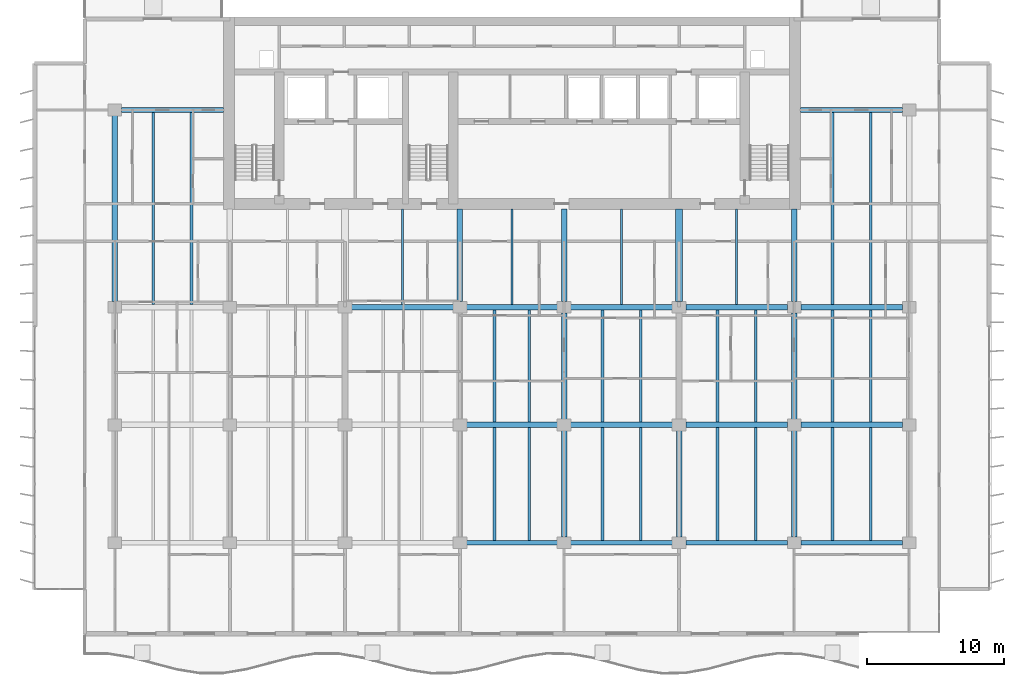
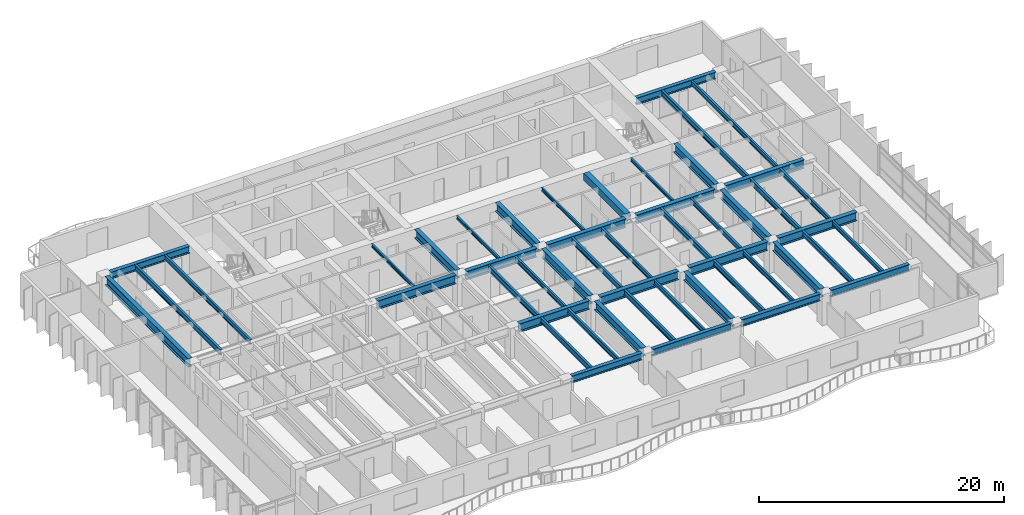
# One storey, part 3 of 16: 49 beams.
"""IFC4 building model written with IfcOpenShell, lengths in metres."""

from ifc_helpers import new_model, si_unit, direction, frame, origin, origin_2d, place, context, subcontext, project, spatial, rectangle, i_section, extrude, material, material_profile, profile_set, type_object, element, save


model = new_model("IFC4")

# Units and contexts
model_context = context("Model", 3, precision=1e-05, world=origin(), true_north=direction((0.0, 1.0)))
body_context = subcontext(model_context, "Body", "Model", "MODEL_VIEW")
ifc_project = project(units=[si_unit("LENGTHUNIT", "METRE"), si_unit("AREAUNIT", "SQUARE_METRE"), si_unit("VOLUMEUNIT", "CUBIC_METRE"), si_unit("PLANEANGLEUNIT", "RADIAN"), si_unit("MASSUNIT", "GRAM", prefix="KILO")], contexts=[model_context])

# Site, building, storey
site_placement = place(None, origin())
site = spatial("IfcSite", under=ifc_project, at=site_placement, CompositionType="ELEMENT")
building_placement = place(site_placement, origin())
building = spatial("IfcBuilding", under=site, at=building_placement, Name="Caelmar Bay Residences", CompositionType="ELEMENT")
storey_placement = place(building_placement, frame((0.0, 0.0, 145.5)))
storey = spatial("IfcBuildingStorey", under=building, at=storey_placement, Name="L40", CompositionType="ELEMENT", Elevation=145.5)

# Beams
ifc_material_1 = material(Name="Steel ASTM A992 Grade 50", Category="steel")
ifc_material_profile_1 = material_profile(ifc_material_1, i_section(OverallWidth=0.40087890625, OverallDepth=0.861083984375, WebThickness=0.019775390625, FlangeThickness=0.032470703125, FilletRadius=0.017822265625, at=origin_2d()), Name="W33X221")
ifc_profile_set_1 = profile_set([ifc_material_profile_1], Name="Steel ASTM A992 Grade 50")
beam_type_1 = type_object("IfcBeamType", Name="BM-GRD-W33X221", PredefinedType="BEAM", material=ifc_profile_set_1)
beam_1_placement = place(storey_placement, frame((35.590087890625, 20.800048828125, 2.619384765625), z_axis=(1.0, 0.0, 0.0), x_axis=(0.0, 1.0, 0.0)))
element("IfcBeam", 1, at=beam_1_placement, inside=storey, type_object=beam_type_1, Name="L40 East-West Girder Y=20.80 (35.1-42.7)", PredefinedType="BEAM", context=body_context, shape_type="SweptSolid", body=[
    extrude(i_section(OverallWidth=0.40087890625, OverallDepth=0.861083984375, WebThickness=0.019775390625, FlangeThickness=0.032470703125, FilletRadius=0.017822265625, at=origin_2d()), origin(), (0.0, 0.0, 1.0), 6.619873046875),
])
beam_2_placement = place(storey_placement, frame((43.18994140625, 20.800048828125, 2.619384765625), z_axis=(1.0, 0.0, 0.0), x_axis=(0.0, 1.0, 0.0)))
element("IfcBeam", 2, at=beam_2_placement, inside=storey, type_object=beam_type_1, Name="L40 East-West Girder Y=20.80 (42.7-51.1)", PredefinedType="BEAM", context=body_context, shape_type="SweptSolid", body=[
    extrude(i_section(OverallWidth=0.40087890625, OverallDepth=0.861083984375, WebThickness=0.019775390625, FlangeThickness=0.032470703125, FilletRadius=0.017822265625, at=origin_2d()), origin(), (0.0, 0.0, 1.0), 7.420166015625),
])
for number, where, z_axis, x_axis, name in (
    (3, (51.590087890625, 20.800048828125, 2.619384765625), (1.0, 0.0, 0.0), (0.0, 1.0, 0.0), "L40 East-West Girder Y=20.80 (51.1-59.5)"),
    (4, (59.989990234375, 20.800048828125, 2.619384765625), (1.0, 0.0, 0.0), (0.0, 1.0, 0.0), "L40 East-West Girder Y=20.80 (59.5-67.9)"),
):
    element("IfcBeam", number, at=place(storey_placement, frame(where, z_axis=z_axis, x_axis=x_axis)), inside=storey, type_object=beam_type_1, Name=name, PredefinedType="BEAM", context=body_context, shape_type="SweptSolid", body=[
        extrude(i_section(OverallWidth=0.40087890625, OverallDepth=0.861083984375, WebThickness=0.019775390625, FlangeThickness=0.032470703125, FilletRadius=0.017822265625, at=origin_2d()), origin(), (0.0, 0.0, 1.0), 7.419921875),
    ])
beam_3_placement = place(storey_placement, frame((27.18994140625, 29.39990234375, 2.619384765625), z_axis=(1.0, 0.0, 0.0), x_axis=(0.0, 1.0, 0.0)))
element("IfcBeam", 5, at=beam_3_placement, inside=storey, type_object=beam_type_1, Name="L40 East-West Girder Y=29.40 (26.7-35.1)", PredefinedType="BEAM", context=body_context, shape_type="SweptSolid", body=[
    extrude(i_section(OverallWidth=0.40087890625, OverallDepth=0.861083984375, WebThickness=0.019775390625, FlangeThickness=0.032470703125, FilletRadius=0.017822265625, at=origin_2d()), origin(), (0.0, 0.0, 1.0), 7.420166015625),
])
beam_4_placement = place(storey_placement, frame((35.590087890625, 29.39990234375, 2.619384765625), z_axis=(1.0, 0.0, 0.0), x_axis=(0.0, 1.0, 0.0)))
element("IfcBeam", 6, at=beam_4_placement, inside=storey, type_object=beam_type_1, Name="L40 East-West Girder Y=29.40 (35.1-42.7)", PredefinedType="BEAM", context=body_context, shape_type="SweptSolid", body=[
    extrude(i_section(OverallWidth=0.40087890625, OverallDepth=0.861083984375, WebThickness=0.019775390625, FlangeThickness=0.032470703125, FilletRadius=0.017822265625, at=origin_2d()), origin(), (0.0, 0.0, 1.0), 6.619873046875),
])
beam_5_placement = place(storey_placement, frame((43.18994140625, 29.39990234375, 2.619384765625), z_axis=(1.0, 0.0, 0.0), x_axis=(0.0, 1.0, 0.0)))
element("IfcBeam", 7, at=beam_5_placement, inside=storey, type_object=beam_type_1, Name="L40 East-West Girder Y=29.40 (42.7-51.1)", PredefinedType="BEAM", context=body_context, shape_type="SweptSolid", body=[
    extrude(i_section(OverallWidth=0.40087890625, OverallDepth=0.861083984375, WebThickness=0.019775390625, FlangeThickness=0.032470703125, FilletRadius=0.017822265625, at=origin_2d()), origin(), (0.0, 0.0, 1.0), 7.420166015625),
])
for number, where, z_axis, x_axis, name in (
    (8, (51.590087890625, 29.39990234375, 2.619384765625), (1.0, 0.0, 0.0), (0.0, 1.0, 0.0), "L40 East-West Girder Y=29.40 (51.1-59.5)"),
    (9, (59.989990234375, 29.39990234375, 2.619384765625), (1.0, 0.0, 0.0), (0.0, 1.0, 0.0), "L40 East-West Girder Y=29.40 (59.5-67.9)"),
):
    element("IfcBeam", number, at=place(storey_placement, frame(where, z_axis=z_axis, x_axis=x_axis)), inside=storey, type_object=beam_type_1, Name=name, PredefinedType="BEAM", context=body_context, shape_type="SweptSolid", body=[
        extrude(i_section(OverallWidth=0.40087890625, OverallDepth=0.861083984375, WebThickness=0.019775390625, FlangeThickness=0.032470703125, FilletRadius=0.017822265625, at=origin_2d()), origin(), (0.0, 0.0, 1.0), 7.419921875),
    ])
beam_6_placement = place(storey_placement, frame((9.89990234375, 29.81494140625, 2.619384765625), z_axis=(0.0, 1.0, 0.0), x_axis=(-1.0, 0.0, 0.0)))
element("IfcBeam", 10, at=beam_6_placement, inside=storey, type_object=beam_type_1, Name="L40 North-South Girder X=9.90 (29.4-43.8)", PredefinedType="BEAM", context=body_context, shape_type="SweptSolid", body=[
    extrude(i_section(OverallWidth=0.40087890625, OverallDepth=0.861083984375, WebThickness=0.019775390625, FlangeThickness=0.032470703125, FilletRadius=0.017822265625, at=origin_2d()), origin(), (0.0, 0.0, 1.0), 13.570068359375),
])
for number, where, z_axis, x_axis, name in (
    (11, (35.10009765625, 29.81494140625, 2.619384765625), (0.0, 1.0, 0.0), (-1.0, 0.0, 0.0), "L40 Core Tie Girder X=35.10"),
    (12, (42.699951171875, 29.81494140625, 2.619384765625), (0.0, 1.0, 0.0), (-1.0, 0.0, 0.0), "L40 Core Tie Girder X=42.70"),
):
    element("IfcBeam", number, at=place(storey_placement, frame(where, z_axis=z_axis, x_axis=x_axis)), inside=storey, type_object=beam_type_1, Name=name, PredefinedType="BEAM", context=body_context, shape_type="SweptSolid", body=[
        extrude(i_section(OverallWidth=0.40087890625, OverallDepth=0.861083984375, WebThickness=0.019775390625, FlangeThickness=0.032470703125, FilletRadius=0.017822265625, at=origin_2d()), origin(), (0.0, 0.0, 1.0), 6.735107421875),
    ])
for number, where, z_axis, x_axis, name in (
    (13, (42.699951171875, 12.614990234375, 2.619384765625), (0.0, 1.0, 0.0), (-1.0, 0.0, 0.0), "L40 North-South Girder X=42.70 (12.2-20.8)"),
    (14, (42.699951171875, 21.215087890625, 2.619384765625), (0.0, 1.0, 0.0), (-1.0, 0.0, 0.0), "L40 North-South Girder X=42.70 (20.8-29.4)"),
    (15, (51.10009765625, 12.614990234375, 2.619384765625), (0.0, 1.0, 0.0), (-1.0, 0.0, 0.0), "L40 North-South Girder X=51.10 (12.2-20.8)"),
):
    element("IfcBeam", number, at=place(storey_placement, frame(where, z_axis=z_axis, x_axis=x_axis)), inside=storey, type_object=beam_type_1, Name=name, PredefinedType="BEAM", context=body_context, shape_type="SweptSolid", body=[
        extrude(i_section(OverallWidth=0.40087890625, OverallDepth=0.861083984375, WebThickness=0.019775390625, FlangeThickness=0.032470703125, FilletRadius=0.017822265625, at=origin_2d()), origin(), (0.0, 0.0, 1.0), 7.77001953125),
    ])
beam_7_placement = place(storey_placement, frame((59.5, 29.81494140625, 2.619384765625), z_axis=(0.0, 1.0, 0.0), x_axis=(-1.0, 0.0, 0.0)))
element("IfcBeam", 16, at=beam_7_placement, inside=storey, type_object=beam_type_1, Name="L40 Core Tie Girder X=59.50", PredefinedType="BEAM", context=body_context, shape_type="SweptSolid", body=[
    extrude(i_section(OverallWidth=0.40087890625, OverallDepth=0.861083984375, WebThickness=0.019775390625, FlangeThickness=0.032470703125, FilletRadius=0.017822265625, at=origin_2d()), origin(), (0.0, 0.0, 1.0), 6.735107421875),
])
for number, where, z_axis, x_axis, name in (
    (17, (59.5, 12.614990234375, 2.619384765625), (0.0, 1.0, 0.0), (-1.0, 0.0, 0.0), "L40 North-South Girder X=59.50 (12.2-20.8)"),
    (18, (59.5, 21.215087890625, 2.619384765625), (0.0, 1.0, 0.0), (-1.0, 0.0, 0.0), "L40 North-South Girder X=59.50 (20.8-29.4)"),
):
    element("IfcBeam", number, at=place(storey_placement, frame(where, z_axis=z_axis, x_axis=x_axis)), inside=storey, type_object=beam_type_1, Name=name, PredefinedType="BEAM", context=body_context, shape_type="SweptSolid", body=[
        extrude(i_section(OverallWidth=0.40087890625, OverallDepth=0.861083984375, WebThickness=0.019775390625, FlangeThickness=0.032470703125, FilletRadius=0.017822265625, at=origin_2d()), origin(), (0.0, 0.0, 1.0), 7.77001953125),
    ])
ifc_material_profile_2 = material_profile(ifc_material_1, i_section(OverallWidth=0.1650390625, OverallDepth=0.31005859375, WebThickness=0.005859375, FlangeThickness=0.009765625, FilletRadius=0.007568359375, at=origin_2d()), Name="W12X26")
ifc_profile_set_2 = profile_set([ifc_material_profile_2], Name="Steel ASTM A992 Grade 50")
beam_type_2 = type_object("IfcBeamType", Name="BM-JST-W12X26", PredefinedType="JOIST", material=ifc_profile_set_2)
for number, where, z_axis, x_axis, name in (
    (19, (30.89990234375, 29.6005859375, 2.89501953125), (0.0, 1.0, 0.0), (-1.0, 0.0, 0.0), "L40 Core-Band Composite Joist 30"),
    (20, (38.89990234375, 29.6005859375, 2.89501953125), (0.0, 1.0, 0.0), (-1.0, 0.0, 0.0), "L40 Core-Band Composite Joist 31"),
    (21, (46.89990234375, 29.6005859375, 2.89501953125), (0.0, 1.0, 0.0), (-1.0, 0.0, 0.0), "L40 Core-Band Composite Joist 32"),
    (22, (55.300048828125, 29.6005859375, 2.89501953125), (0.0, 1.0, 0.0), (-1.0, 0.0, 0.0), "L40 Core-Band Composite Joist 33"),
):
    element("IfcBeam", number, at=place(storey_placement, frame(where, z_axis=z_axis, x_axis=x_axis)), inside=storey, type_object=beam_type_2, Name=name, PredefinedType="JOIST", context=body_context, shape_type="SweptSolid", body=[
        extrude(i_section(OverallWidth=0.1650390625, OverallDepth=0.31005859375, WebThickness=0.005859375, FlangeThickness=0.009765625, FilletRadius=0.007568359375, at=origin_2d()), origin(), (0.0, 0.0, 1.0), 6.949462890625),
    ])
ifc_material_profile_3 = material_profile(ifc_material_1, i_section(OverallWidth=0.19091796875, OverallDepth=0.45703125, WebThickness=0.009033203125, FlangeThickness=0.014404296875, FilletRadius=0.01025390625, at=origin_2d()), Name="W18X50")
ifc_profile_set_3 = profile_set([ifc_material_profile_3], Name="Steel ASTM A992 Grade 50")
beam_type_3 = type_object("IfcBeamType", Name="BM-JST-W18X50", PredefinedType="JOIST", material=ifc_profile_set_3)
for number, where, z_axis, x_axis, name in (
    (23, (40.166748046875, 12.3779296875, 2.821533203125), (0.0, 1.0, 0.0), (-1.0, 0.0, 0.0), "L40 Composite Floor Joist 8"),
    (24, (48.300048828125, 12.3779296875, 2.821533203125), (0.0, 1.0, 0.0), (-1.0, 0.0, 0.0), "L40 Composite Floor Joist 10"),
    (25, (56.699951171875, 12.3779296875, 2.821533203125), (0.0, 1.0, 0.0), (-1.0, 0.0, 0.0), "L40 Composite Floor Joist 12"),
    (26, (65.10009765625, 12.3779296875, 2.821533203125), (0.0, 1.0, 0.0), (-1.0, 0.0, 0.0), "L40 Composite Floor Joist 14"),
):
    element("IfcBeam", number, at=place(storey_placement, frame(where, z_axis=z_axis, x_axis=x_axis)), inside=storey, type_object=beam_type_3, Name=name, PredefinedType="JOIST", context=body_context, shape_type="SweptSolid", body=[
        extrude(i_section(OverallWidth=0.19091796875, OverallDepth=0.45703125, WebThickness=0.009033203125, FlangeThickness=0.014404296875, FilletRadius=0.01025390625, at=origin_2d()), origin(), (0.0, 0.0, 1.0), 8.2216796875),
    ])
for number, where, z_axis, x_axis, name in (
    (27, (40.166748046875, 21.00048828125, 2.821533203125), (0.0, 1.0, 0.0), (-1.0, 0.0, 0.0), "L40 Composite Floor Joist 22"),
    (28, (48.300048828125, 21.00048828125, 2.821533203125), (0.0, 1.0, 0.0), (-1.0, 0.0, 0.0), "L40 Composite Floor Joist 24"),
    (29, (56.699951171875, 21.00048828125, 2.821533203125), (0.0, 1.0, 0.0), (-1.0, 0.0, 0.0), "L40 Composite Floor Joist 26"),
    (30, (65.10009765625, 21.00048828125, 2.821533203125), (0.0, 1.0, 0.0), (-1.0, 0.0, 0.0), "L40 Composite Floor Joist 28"),
):
    element("IfcBeam", number, at=place(storey_placement, frame(where, z_axis=z_axis, x_axis=x_axis)), inside=storey, type_object=beam_type_3, Name=name, PredefinedType="JOIST", context=body_context, shape_type="SweptSolid", body=[
        extrude(i_section(OverallWidth=0.19091796875, OverallDepth=0.45703125, WebThickness=0.009033203125, FlangeThickness=0.014404296875, FilletRadius=0.01025390625, at=origin_2d()), origin(), (0.0, 0.0, 1.0), 8.198974609375),
    ])
for number, where, z_axis, x_axis, name in (
    (31, (15.5, 29.6005859375, 2.821533203125), (0.0, 1.0, 0.0), (-1.0, 0.0, 0.0), "L40 Composite Floor Joist 35"),
    (32, (65.10009765625, 29.6005859375, 2.821533203125), (0.0, 1.0, 0.0), (-1.0, 0.0, 0.0), "L40 Composite Floor Joist 37"),
):
    element("IfcBeam", number, at=place(storey_placement, frame(where, z_axis=z_axis, x_axis=x_axis)), inside=storey, type_object=beam_type_3, Name=name, PredefinedType="JOIST", context=body_context, shape_type="SweptSolid", body=[
        extrude(i_section(OverallWidth=0.19091796875, OverallDepth=0.45703125, WebThickness=0.009033203125, FlangeThickness=0.014404296875, FilletRadius=0.01025390625, at=origin_2d()), origin(), (0.0, 0.0, 1.0), 14.021484375),
    ])
ifc_material_profile_4 = material_profile(ifc_material_1, i_section(OverallWidth=0.2099609375, OverallDepth=0.535888671875, WebThickness=0.010986328125, FlangeThickness=0.017333984375, FilletRadius=0.0126953125, at=origin_2d()), Name="W21X68")
ifc_profile_set_4 = profile_set([ifc_material_profile_4], Name="Steel ASTM A992 Grade 50")
beam_type_4 = type_object("IfcBeamType", Name="BM-JST-W21X68", PredefinedType="JOIST", material=ifc_profile_set_4)
for number, where, z_axis, x_axis, name in (
    (33, (37.63330078125, 12.3779296875, 2.781982421875), (0.0, 1.0, 0.0), (-1.0, 0.0, 0.0), "L40 Composite Floor Joist 7"),
    (34, (45.5, 12.3779296875, 2.781982421875), (0.0, 1.0, 0.0), (-1.0, 0.0, 0.0), "L40 Composite Floor Joist 9"),
    (35, (53.89990234375, 12.3779296875, 2.781982421875), (0.0, 1.0, 0.0), (-1.0, 0.0, 0.0), "L40 Composite Floor Joist 11"),
    (36, (62.300048828125, 12.3779296875, 2.781982421875), (0.0, 1.0, 0.0), (-1.0, 0.0, 0.0), "L40 Composite Floor Joist 13"),
):
    element("IfcBeam", number, at=place(storey_placement, frame(where, z_axis=z_axis, x_axis=x_axis)), inside=storey, type_object=beam_type_4, Name=name, PredefinedType="JOIST", context=body_context, shape_type="SweptSolid", body=[
        extrude(i_section(OverallWidth=0.2099609375, OverallDepth=0.535888671875, WebThickness=0.010986328125, FlangeThickness=0.017333984375, FilletRadius=0.0126953125, at=origin_2d()), origin(), (0.0, 0.0, 1.0), 8.2216796875),
    ])
for number, where, z_axis, x_axis, name in (
    (37, (37.63330078125, 21.00048828125, 2.781982421875), (0.0, 1.0, 0.0), (-1.0, 0.0, 0.0), "L40 Composite Floor Joist 21"),
    (38, (45.5, 21.00048828125, 2.781982421875), (0.0, 1.0, 0.0), (-1.0, 0.0, 0.0), "L40 Composite Floor Joist 23"),
    (39, (53.89990234375, 21.00048828125, 2.781982421875), (0.0, 1.0, 0.0), (-1.0, 0.0, 0.0), "L40 Composite Floor Joist 25"),
    (40, (62.300048828125, 21.00048828125, 2.781982421875), (0.0, 1.0, 0.0), (-1.0, 0.0, 0.0), "L40 Composite Floor Joist 27"),
):
    element("IfcBeam", number, at=place(storey_placement, frame(where, z_axis=z_axis, x_axis=x_axis)), inside=storey, type_object=beam_type_4, Name=name, PredefinedType="JOIST", context=body_context, shape_type="SweptSolid", body=[
        extrude(i_section(OverallWidth=0.2099609375, OverallDepth=0.535888671875, WebThickness=0.010986328125, FlangeThickness=0.017333984375, FilletRadius=0.0126953125, at=origin_2d()), origin(), (0.0, 0.0, 1.0), 8.198974609375),
    ])
for number, where, z_axis, x_axis, name in (
    (41, (12.699951171875, 29.6005859375, 2.781982421875), (0.0, 1.0, 0.0), (-1.0, 0.0, 0.0), "L40 Composite Floor Joist 34"),
    (42, (62.300048828125, 29.6005859375, 2.781982421875), (0.0, 1.0, 0.0), (-1.0, 0.0, 0.0), "L40 Composite Floor Joist 36"),
):
    element("IfcBeam", number, at=place(storey_placement, frame(where, z_axis=z_axis, x_axis=x_axis)), inside=storey, type_object=beam_type_4, Name=name, PredefinedType="JOIST", context=body_context, shape_type="SweptSolid", body=[
        extrude(i_section(OverallWidth=0.2099609375, OverallDepth=0.535888671875, WebThickness=0.010986328125, FlangeThickness=0.017333984375, FilletRadius=0.0126953125, at=origin_2d()), origin(), (0.0, 0.0, 1.0), 14.021484375),
    ])
ifc_material_2 = material(Name="Concrete f'c 55 MPa (8,000 psi)", Category="concrete")
ifc_material_profile_5 = material_profile(ifc_material_2, rectangle(XDim=0.5, YDim=0.699951171875, at=origin_2d()), Name="RC-BM-500X700")
ifc_profile_set_5 = profile_set([ifc_material_profile_5], Name="Concrete f'c 55 MPa (8,000 psi)")
beam_type_5 = type_object("IfcBeamType", Name="BM-RC-500X700", PredefinedType="LINTEL", material=ifc_profile_set_5)
beam_8_placement = place(storey_placement, frame((51.10009765625, 29.81494140625, 2.699951171875), z_axis=(0.0, 1.0, 0.0), x_axis=(-1.0, 0.0, 0.0)))
element("IfcBeam", 43, at=beam_8_placement, inside=storey, type_object=beam_type_5, Name="L40 Shear-Wall Corridor Coupling Lintel E8", PredefinedType="LINTEL", context=body_context, shape_type="SweptSolid", body=[
    extrude(rectangle(XDim=0.5, YDim=0.699951171875, at=origin_2d()), origin(), (0.0, 0.0, 1.0), 6.735107421875),
])
ifc_material_profile_6 = material_profile(ifc_material_1, i_section(OverallWidth=0.35595703125, OverallDepth=0.696044921875, WebThickness=0.015380859375, FlangeThickness=0.02490234375, FilletRadius=0.01513671875, at=origin_2d()), Name="W27X146")
ifc_profile_set_6 = profile_set([ifc_material_profile_6], Name="Steel ASTM A992 Grade 50")
beam_type_6 = type_object("IfcBeamType", Name="BM-SPN-W27X146", PredefinedType="SPANDREL", material=ifc_profile_set_6)
beam_9_placement = place(storey_placement, frame((35.590087890625, 12.199951171875, 2.701904296875), z_axis=(1.0, 0.0, 0.0), x_axis=(0.0, 1.0, 0.0)))
element("IfcBeam", 44, at=beam_9_placement, inside=storey, type_object=beam_type_6, Name="L40 East-West Girder Y=12.20 (35.1-42.7)", PredefinedType="SPANDREL", context=body_context, shape_type="SweptSolid", body=[
    extrude(i_section(OverallWidth=0.35595703125, OverallDepth=0.696044921875, WebThickness=0.015380859375, FlangeThickness=0.02490234375, FilletRadius=0.01513671875, at=origin_2d()), origin(), (0.0, 0.0, 1.0), 6.619873046875),
])
beam_10_placement = place(storey_placement, frame((43.18994140625, 12.199951171875, 2.701904296875), z_axis=(1.0, 0.0, 0.0), x_axis=(0.0, 1.0, 0.0)))
element("IfcBeam", 45, at=beam_10_placement, inside=storey, type_object=beam_type_6, Name="L40 East-West Girder Y=12.20 (42.7-51.1)", PredefinedType="SPANDREL", context=body_context, shape_type="SweptSolid", body=[
    extrude(i_section(OverallWidth=0.35595703125, OverallDepth=0.696044921875, WebThickness=0.015380859375, FlangeThickness=0.02490234375, FilletRadius=0.01513671875, at=origin_2d()), origin(), (0.0, 0.0, 1.0), 7.420166015625),
])
for number, where, z_axis, x_axis, name in (
    (46, (51.590087890625, 12.199951171875, 2.701904296875), (1.0, 0.0, 0.0), (0.0, 1.0, 0.0), "L40 East-West Girder Y=12.20 (51.1-59.5)"),
    (47, (59.989990234375, 12.199951171875, 2.701904296875), (1.0, 0.0, 0.0), (0.0, 1.0, 0.0), "L40 East-West Girder Y=12.20 (59.5-67.9)"),
):
    element("IfcBeam", number, at=place(storey_placement, frame(where, z_axis=z_axis, x_axis=x_axis)), inside=storey, type_object=beam_type_6, Name=name, PredefinedType="SPANDREL", context=body_context, shape_type="SweptSolid", body=[
        extrude(i_section(OverallWidth=0.35595703125, OverallDepth=0.696044921875, WebThickness=0.015380859375, FlangeThickness=0.02490234375, FilletRadius=0.01513671875, at=origin_2d()), origin(), (0.0, 0.0, 1.0), 7.419921875),
    ])
beam_11_placement = place(storey_placement, frame((10.389892578125, 43.800048828125, 2.701904296875), z_axis=(1.0, 0.0, 0.0), x_axis=(0.0, 1.0, 0.0)))
element("IfcBeam", 48, at=beam_11_placement, inside=storey, type_object=beam_type_6, Name="L40 North-West Wing Core Tie Girder", PredefinedType="SPANDREL", context=body_context, shape_type="SweptSolid", body=[
    extrude(i_section(OverallWidth=0.35595703125, OverallDepth=0.696044921875, WebThickness=0.015380859375, FlangeThickness=0.02490234375, FilletRadius=0.01513671875, at=origin_2d()), origin(), (0.0, 0.0, 1.0), 7.460205078125),
])
beam_12_placement = place(storey_placement, frame((59.949951171875, 43.800048828125, 2.701904296875), z_axis=(1.0, 0.0, 0.0), x_axis=(0.0, 1.0, 0.0)))
element("IfcBeam", 49, at=beam_12_placement, inside=storey, type_object=beam_type_6, Name="L40 North-East Wing Core Tie Girder", PredefinedType="SPANDREL", context=body_context, shape_type="SweptSolid", body=[
    extrude(i_section(OverallWidth=0.35595703125, OverallDepth=0.696044921875, WebThickness=0.015380859375, FlangeThickness=0.02490234375, FilletRadius=0.01513671875, at=origin_2d()), origin(), (0.0, 0.0, 1.0), 7.4599609375),
])

save(model, "model.ifc")
